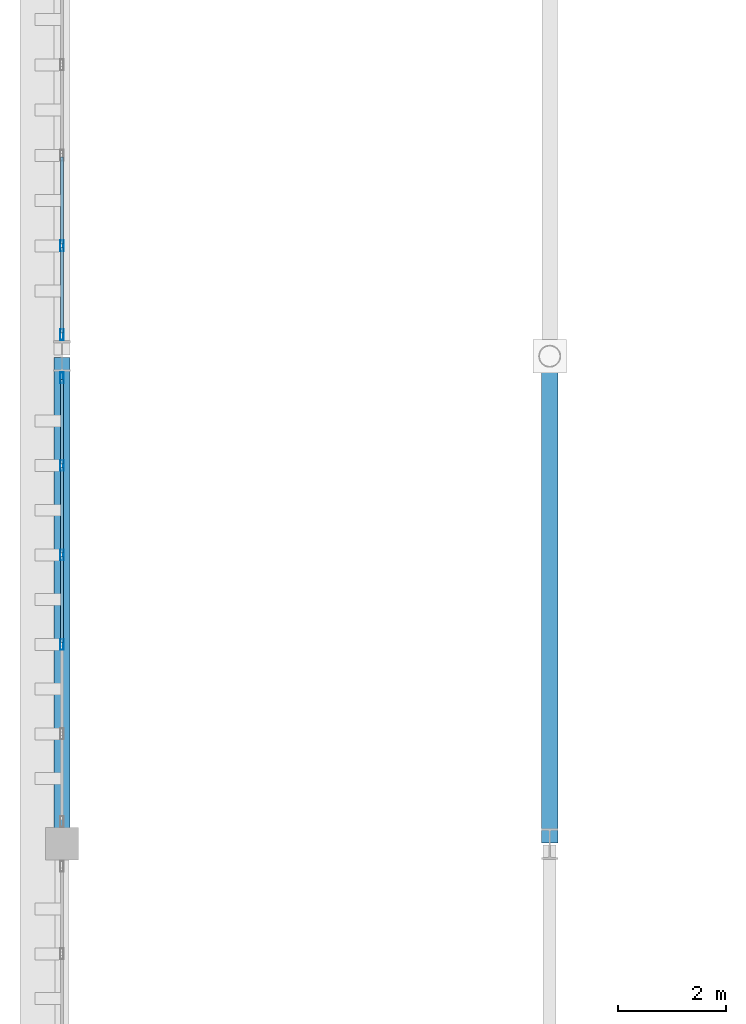
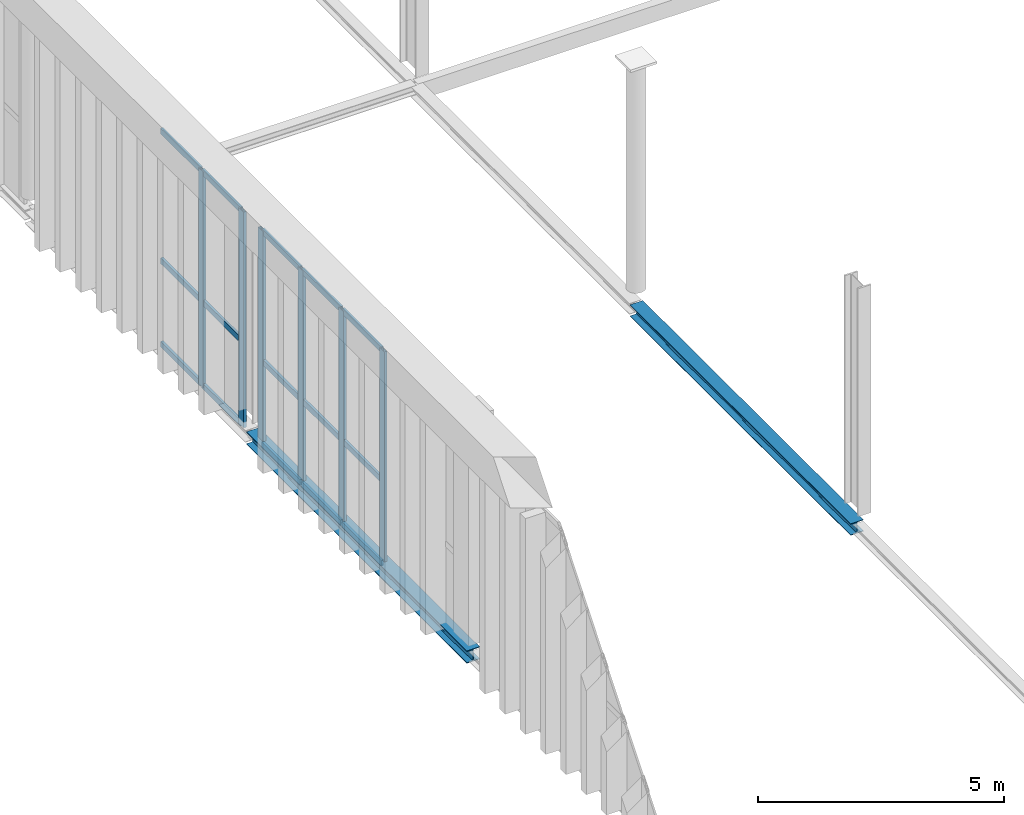
# One storey, part 93 of 237: 21 members, 2 beams, 2 elements without a shape of their own.
"""IFC4 building model written with IfcOpenShell, lengths in metres."""

from ifc_helpers import new_model, si_unit, direction, frame, origin, origin_2d, place, context, subcontext, project, spatial, hollow_rectangle, i_section, extrude, material, layer, layer_set, material_profile, profile_set, type_object, element, aggregate, save


model = new_model("IFC4")

# Units and contexts
model_context = context("Model", 3, precision=1e-05, world=origin(), true_north=direction((0.0, 1.0)))
body_context = subcontext(model_context, "Body", "Model", "MODEL_VIEW")
ifc_project = project(units=[si_unit("LENGTHUNIT", "METRE"), si_unit("AREAUNIT", "SQUARE_METRE"), si_unit("VOLUMEUNIT", "CUBIC_METRE"), si_unit("PLANEANGLEUNIT", "RADIAN"), si_unit("MASSUNIT", "GRAM", prefix="KILO")], contexts=[model_context])

# Site, building, storey
site_placement = place(None, origin())
site = spatial("IfcSite", under=ifc_project, at=site_placement, CompositionType="ELEMENT")
building_placement = place(site_placement, origin())
building = spatial("IfcBuilding", under=site, at=building_placement, Name="Barlavento Convention Centre", CompositionType="ELEMENT")
storey_placement = place(building_placement, frame((0.0, 0.0, 12.0)))
storey = spatial("IfcBuildingStorey", under=building, at=storey_placement, Name="L02", CompositionType="ELEMENT", Elevation=12.0)

# Curtain wall, members
ifc_material_1 = material(Name="Powder-coated aluminium and Low-E glass", Category="aluminium")
ifc_layer = layer(ifc_material_1, 0.18505859375)
ifc_layer_set = layer_set([ifc_layer], Name="ARC-CW-EXH-L02")
curtain_wall_type = type_object("IfcCurtainWallType", Name="ARC-CW-EXH-L02", PredefinedType="NOTDEFINED", material=ifc_layer_set)
curtain_wall_1_placement = place(storey_placement, origin())
curtain_wall_1 = element("IfcCurtainWall", 1, at=curtain_wall_1_placement, inside=storey, type_object=curtain_wall_type, Name="L02 unitised curtain wall CW05", PredefinedType="NOTDEFINED")
ifc_material_2 = material(Name="Powder-coated aluminium", Category="aluminium")
ifc_material_profile_1 = material_profile(ifc_material_2, hollow_rectangle(XDim=0.06494140625, YDim=0.199951171875, WallThickness=0.0048828125, at=origin_2d()), Name="AL-MULL 65x200x5")
ifc_profile_set_1 = profile_set([ifc_material_profile_1], Name="Powder-coated aluminium")
member_type_1 = type_object("IfcMemberType", Name="ARC-CWM-65X200", PredefinedType="MULLION", material=ifc_profile_set_1)
member_1_placement = place(storey_placement, frame((0.0, 102.681640625, -0.5), z_axis=(0.0, 0.0, 1.0), x_axis=(-1.0, 0.0, 0.0)))
member_1 = element("IfcMember", 2, at=member_1_placement, type_object=member_type_1, Name="CW05 mullion 3", PredefinedType="MULLION", context=body_context, shape_type="SweptSolid", body=[
    extrude(hollow_rectangle(XDim=0.06494140625, YDim=0.199951171875, WallThickness=0.0048828125, at=origin_2d()), origin(), (0.0, 0.0, 1.0), 5.35009765625),
])
member_2_placement = place(storey_placement, frame((0.0, 104.33251953125, -0.5), z_axis=(0.0, 0.0, 1.0), x_axis=(-1.0, 0.0, 0.0)))
member_2 = element("IfcMember", 3, at=member_2_placement, type_object=member_type_1, Name="CW05 mullion 4", PredefinedType="MULLION", context=body_context, shape_type="SweptSolid", body=[
    extrude(hollow_rectangle(XDim=0.06494140625, YDim=0.199951171875, WallThickness=0.0048828125, at=origin_2d()), origin(), (0.0, 0.0, 1.0), 5.35009765625),
])
member_3_placement = place(storey_placement, frame((0.0, 105.983154296875, -0.5), z_axis=(0.0, 0.0, 1.0), x_axis=(-1.0, 0.0, 0.0)))
member_3 = element("IfcMember", 4, at=member_3_placement, type_object=member_type_1, Name="CW05 mullion 5", PredefinedType="MULLION", context=body_context, shape_type="SweptSolid", body=[
    extrude(hollow_rectangle(XDim=0.06494140625, YDim=0.199951171875, WallThickness=0.0048828125, at=origin_2d()), origin(), (0.0, 0.0, 1.0), 5.35009765625),
])
member_4_placement = place(storey_placement, frame((0.0, 107.6015625, -0.5), z_axis=(0.0, 0.0, 1.0), x_axis=(-1.0, 0.0, 0.0)))
member_4 = element("IfcMember", 5, at=member_4_placement, type_object=member_type_1, Name="CW05 mullion 6", PredefinedType="MULLION", context=body_context, shape_type="SweptSolid", body=[
    extrude(hollow_rectangle(XDim=0.06494140625, YDim=0.199951171875, WallThickness=0.0048828125, at=origin_2d()), origin(), (0.0, 0.0, 1.0), 5.35009765625),
])

curtain_wall_2_placement = place(storey_placement, origin())
curtain_wall_2 = element("IfcCurtainWall", 6, at=curtain_wall_2_placement, inside=storey, type_object=curtain_wall_type, Name="L02 unitised curtain wall CW05", PredefinedType="NOTDEFINED")
member_5_placement = place(storey_placement, frame((0.0, 108.3984375, -0.5), z_axis=(0.0, 0.0, 1.0), x_axis=(-1.0, 0.0, 0.0)))
member_5 = element("IfcMember", 7, at=member_5_placement, type_object=member_type_1, Name="CW05 mullion 1", PredefinedType="MULLION", context=body_context, shape_type="SweptSolid", body=[
    extrude(hollow_rectangle(XDim=0.06494140625, YDim=0.199951171875, WallThickness=0.0048828125, at=origin_2d()), origin(), (0.0, 0.0, 1.0), 5.35009765625),
])
member_6_placement = place(storey_placement, frame((0.0, 110.0361328125, -0.5), z_axis=(0.0, 0.0, 1.0), x_axis=(-1.0, 0.0, 0.0)))
member_6 = element("IfcMember", 8, at=member_6_placement, type_object=member_type_1, Name="CW05 mullion 2", PredefinedType="MULLION", context=body_context, shape_type="SweptSolid", body=[
    extrude(hollow_rectangle(XDim=0.06494140625, YDim=0.199951171875, WallThickness=0.0048828125, at=origin_2d()), origin(), (0.0, 0.0, 1.0), 5.35009765625),
])

# Member
ifc_material_profile_2 = material_profile(ifc_material_2, hollow_rectangle(XDim=0.06005859375, YDim=0.139892578125, WallThickness=0.00390625, at=origin_2d()), Name="AL-TRAN 60x140x4")
ifc_profile_set_2 = profile_set([ifc_material_profile_2], Name="Powder-coated aluminium")
member_type_2 = type_object("IfcMemberType", Name="ARC-CWT-60X140", PredefinedType="USERDEFINED", material=ifc_profile_set_2)
member_7_placement = place(storey_placement, frame((0.0, 102.714111328125, -0.469970703125), z_axis=(0.0, 1.0, 0.0), x_axis=(-1.0, 0.0, 0.0)))
member_7 = element("IfcMember", 9, at=member_7_placement, type_object=member_type_2, Name="CW05 transom 3.1", ObjectType="TRANSOM", PredefinedType="USERDEFINED", context=body_context, shape_type="SweptSolid", body=[
    extrude(hollow_rectangle(XDim=0.06005859375, YDim=0.139892578125, WallThickness=0.00390625, at=origin_2d()), origin(), (0.0, 0.0, 1.0), 1.585693359375),
])

member_8_placement = place(storey_placement, frame((0.0, 102.714111328125, 1.60009765625), z_axis=(0.0, 1.0, 0.0), x_axis=(-1.0, 0.0, 0.0)))
member_8 = element("IfcMember", 10, at=member_8_placement, type_object=member_type_2, Name="CW05 transom 3.2", ObjectType="TRANSOM", PredefinedType="USERDEFINED", context=body_context, shape_type="SweptSolid", body=[
    extrude(hollow_rectangle(XDim=0.06005859375, YDim=0.139892578125, WallThickness=0.00390625, at=origin_2d()), origin(), (0.0, 0.0, 1.0), 1.585693359375),
])

member_9_placement = place(storey_placement, frame((0.0, 102.714111328125, 4.820068359375), z_axis=(0.0, 1.0, 0.0), x_axis=(-1.0, 0.0, 0.0)))
member_9 = element("IfcMember", 11, at=member_9_placement, type_object=member_type_2, Name="CW05 transom 3.3", ObjectType="TRANSOM", PredefinedType="USERDEFINED", context=body_context, shape_type="SweptSolid", body=[
    extrude(hollow_rectangle(XDim=0.06005859375, YDim=0.139892578125, WallThickness=0.00390625, at=origin_2d()), origin(), (0.0, 0.0, 1.0), 1.585693359375),
])

member_10_placement = place(storey_placement, frame((0.0, 104.364990234375, -0.469970703125), z_axis=(0.0, 1.0, 0.0), x_axis=(-1.0, 0.0, 0.0)))
member_10 = element("IfcMember", 12, at=member_10_placement, type_object=member_type_2, Name="CW05 transom 4.1", ObjectType="TRANSOM", PredefinedType="USERDEFINED", context=body_context, shape_type="SweptSolid", body=[
    extrude(hollow_rectangle(XDim=0.06005859375, YDim=0.139892578125, WallThickness=0.00390625, at=origin_2d()), origin(), (0.0, 0.0, 1.0), 1.585693359375),
])

member_11_placement = place(storey_placement, frame((0.0, 104.364990234375, 1.60009765625), z_axis=(0.0, 1.0, 0.0), x_axis=(-1.0, 0.0, 0.0)))
member_11 = element("IfcMember", 13, at=member_11_placement, type_object=member_type_2, Name="CW05 transom 4.2", ObjectType="TRANSOM", PredefinedType="USERDEFINED", context=body_context, shape_type="SweptSolid", body=[
    extrude(hollow_rectangle(XDim=0.06005859375, YDim=0.139892578125, WallThickness=0.00390625, at=origin_2d()), origin(), (0.0, 0.0, 1.0), 1.585693359375),
])

member_12_placement = place(storey_placement, frame((0.0, 104.364990234375, 4.820068359375), z_axis=(0.0, 1.0, 0.0), x_axis=(-1.0, 0.0, 0.0)))
member_12 = element("IfcMember", 14, at=member_12_placement, type_object=member_type_2, Name="CW05 transom 4.3", ObjectType="TRANSOM", PredefinedType="USERDEFINED", context=body_context, shape_type="SweptSolid", body=[
    extrude(hollow_rectangle(XDim=0.06005859375, YDim=0.139892578125, WallThickness=0.00390625, at=origin_2d()), origin(), (0.0, 0.0, 1.0), 1.585693359375),
])

member_13_placement = place(storey_placement, frame((0.0, 106.015625, -0.469970703125), z_axis=(0.0, 1.0, 0.0), x_axis=(-1.0, 0.0, 0.0)))
member_13 = element("IfcMember", 15, at=member_13_placement, type_object=member_type_2, Name="CW05 transom 5.1", ObjectType="TRANSOM", PredefinedType="USERDEFINED", context=body_context, shape_type="SweptSolid", body=[
    extrude(hollow_rectangle(XDim=0.06005859375, YDim=0.139892578125, WallThickness=0.00390625, at=origin_2d()), origin(), (0.0, 0.0, 1.0), 1.553466796875),
])

member_14_placement = place(storey_placement, frame((0.0, 106.015625, 1.60009765625), z_axis=(0.0, 1.0, 0.0), x_axis=(-1.0, 0.0, 0.0)))
member_14 = element("IfcMember", 16, at=member_14_placement, type_object=member_type_2, Name="CW05 transom 5.2", ObjectType="TRANSOM", PredefinedType="USERDEFINED", context=body_context, shape_type="SweptSolid", body=[
    extrude(hollow_rectangle(XDim=0.06005859375, YDim=0.139892578125, WallThickness=0.00390625, at=origin_2d()), origin(), (0.0, 0.0, 1.0), 1.553466796875),
])

member_15_placement = place(storey_placement, frame((0.0, 106.015625, 4.820068359375), z_axis=(0.0, 1.0, 0.0), x_axis=(-1.0, 0.0, 0.0)))
member_15 = element("IfcMember", 17, at=member_15_placement, type_object=member_type_2, Name="CW05 transom 5.3", ObjectType="TRANSOM", PredefinedType="USERDEFINED", context=body_context, shape_type="SweptSolid", body=[
    extrude(hollow_rectangle(XDim=0.06005859375, YDim=0.139892578125, WallThickness=0.00390625, at=origin_2d()), origin(), (0.0, 0.0, 1.0), 1.553466796875),
])

aggregate(curtain_wall_1, [member_1, member_2, member_3, member_4, member_7, member_8, member_9, member_10, member_11, member_12, member_13, member_14, member_15])

member_16_placement = place(storey_placement, frame((0.0, 108.430908203125, -0.469970703125), z_axis=(0.0, 1.0, 0.0), x_axis=(-1.0, 0.0, 0.0)))
member_16 = element("IfcMember", 18, at=member_16_placement, type_object=member_type_2, Name="CW05 transom 1.1", ObjectType="TRANSOM", PredefinedType="USERDEFINED", context=body_context, shape_type="SweptSolid", body=[
    extrude(hollow_rectangle(XDim=0.06005859375, YDim=0.139892578125, WallThickness=0.00390625, at=origin_2d()), origin(), (0.0, 0.0, 1.0), 1.57275390625),
])

member_17_placement = place(storey_placement, frame((0.0, 108.430908203125, 1.60009765625), z_axis=(0.0, 1.0, 0.0), x_axis=(-1.0, 0.0, 0.0)))
member_17 = element("IfcMember", 19, at=member_17_placement, type_object=member_type_2, Name="CW05 transom 1.2", ObjectType="TRANSOM", PredefinedType="USERDEFINED", context=body_context, shape_type="SweptSolid", body=[
    extrude(hollow_rectangle(XDim=0.06005859375, YDim=0.139892578125, WallThickness=0.00390625, at=origin_2d()), origin(), (0.0, 0.0, 1.0), 1.57275390625),
])

member_18_placement = place(storey_placement, frame((0.0, 108.430908203125, 4.820068359375), z_axis=(0.0, 1.0, 0.0), x_axis=(-1.0, 0.0, 0.0)))
member_18 = element("IfcMember", 20, at=member_18_placement, type_object=member_type_2, Name="CW05 transom 1.3", ObjectType="TRANSOM", PredefinedType="USERDEFINED", context=body_context, shape_type="SweptSolid", body=[
    extrude(hollow_rectangle(XDim=0.06005859375, YDim=0.139892578125, WallThickness=0.00390625, at=origin_2d()), origin(), (0.0, 0.0, 1.0), 1.57275390625),
])

member_19_placement = place(storey_placement, frame((0.0, 110.068603515625, -0.469970703125), z_axis=(0.0, 1.0, 0.0), x_axis=(-1.0, 0.0, 0.0)))
member_19 = element("IfcMember", 21, at=member_19_placement, type_object=member_type_2, Name="CW05 transom 2.1", ObjectType="TRANSOM", PredefinedType="USERDEFINED", context=body_context, shape_type="SweptSolid", body=[
    extrude(hollow_rectangle(XDim=0.06005859375, YDim=0.139892578125, WallThickness=0.00390625, at=origin_2d()), origin(), (0.0, 0.0, 1.0), 1.605224609375),
])

member_20_placement = place(storey_placement, frame((0.0, 110.068603515625, 1.60009765625), z_axis=(0.0, 1.0, 0.0), x_axis=(-1.0, 0.0, 0.0)))
member_20 = element("IfcMember", 22, at=member_20_placement, type_object=member_type_2, Name="CW05 transom 2.2", ObjectType="TRANSOM", PredefinedType="USERDEFINED", context=body_context, shape_type="SweptSolid", body=[
    extrude(hollow_rectangle(XDim=0.06005859375, YDim=0.139892578125, WallThickness=0.00390625, at=origin_2d()), origin(), (0.0, 0.0, 1.0), 1.605224609375),
])

member_21_placement = place(storey_placement, frame((0.0, 110.068603515625, 4.820068359375), z_axis=(0.0, 1.0, 0.0), x_axis=(-1.0, 0.0, 0.0)))
member_21 = element("IfcMember", 23, at=member_21_placement, type_object=member_type_2, Name="CW05 transom 2.3", ObjectType="TRANSOM", PredefinedType="USERDEFINED", context=body_context, shape_type="SweptSolid", body=[
    extrude(hollow_rectangle(XDim=0.06005859375, YDim=0.139892578125, WallThickness=0.00390625, at=origin_2d()), origin(), (0.0, 0.0, 1.0), 1.605224609375),
])

aggregate(curtain_wall_2, [member_5, member_6, member_16, member_17, member_18, member_19, member_20, member_21])

# Beams
ifc_material_3 = material(Name="Steel S355", Category="steel")
ifc_material_profile_3 = material_profile(ifc_material_3, i_section(OverallWidth=0.300048828125, OverallDepth=0.2900390625, WebThickness=0.008544921875, FlangeThickness=0.013916015625, FilletRadius=0.027099609375, at=origin_2d()), Name="HEA 300")
ifc_profile_set_3 = profile_set([ifc_material_profile_3], Name="Steel S355")
beam_type_1 = type_object("IfcBeamType", Name="STR-BM-SPN-HEA300", PredefinedType="SPANDREL", material=ifc_profile_set_3)
beam_1_placement = place(storey_placement, frame((9.0, 99.02001953125, -0.5048828125), z_axis=(0.0, 1.0, 0.0), x_axis=(-1.0, 0.0, 0.0)))
element("IfcBeam", 24, at=beam_1_placement, inside=storey, type_object=beam_type_1, Name="L02 grid girder SP02", PredefinedType="SPANDREL", context=body_context, shape_type="SweptSolid", body=[
    extrude(i_section(OverallWidth=0.300048828125, OverallDepth=0.2900390625, WebThickness=0.008544921875, FlangeThickness=0.013916015625, FilletRadius=0.027099609375, at=origin_2d()), origin(), (0.0, 0.0, 1.0), 8.9599609375),
])
ifc_material_profile_4 = material_profile(ifc_material_3, i_section(OverallWidth=0.300048828125, OverallDepth=0.31005859375, WebThickness=0.009033203125, FlangeThickness=0.015380859375, FilletRadius=0.027099609375, at=origin_2d()), Name="HEA 320")
ifc_profile_set_4 = profile_set([ifc_material_profile_4], Name="Steel S355")
beam_type_2 = type_object("IfcBeamType", Name="STR-BM-SPN-HEA320", PredefinedType="SPANDREL", material=ifc_profile_set_4)
beam_2_placement = place(storey_placement, frame((0.0, 99.02001953125, -0.514892578125), z_axis=(0.0, 1.0, 0.0), x_axis=(-1.0, 0.0, 0.0)))
element("IfcBeam", 25, at=beam_2_placement, inside=storey, type_object=beam_type_2, Name="L02 grid girder SP01", PredefinedType="SPANDREL", context=body_context, shape_type="SweptSolid", body=[
    extrude(i_section(OverallWidth=0.300048828125, OverallDepth=0.31005859375, WebThickness=0.009033203125, FlangeThickness=0.015380859375, FilletRadius=0.027099609375, at=origin_2d()), origin(), (0.0, 0.0, 1.0), 8.9599609375),
])

save(model, "model.ifc")
